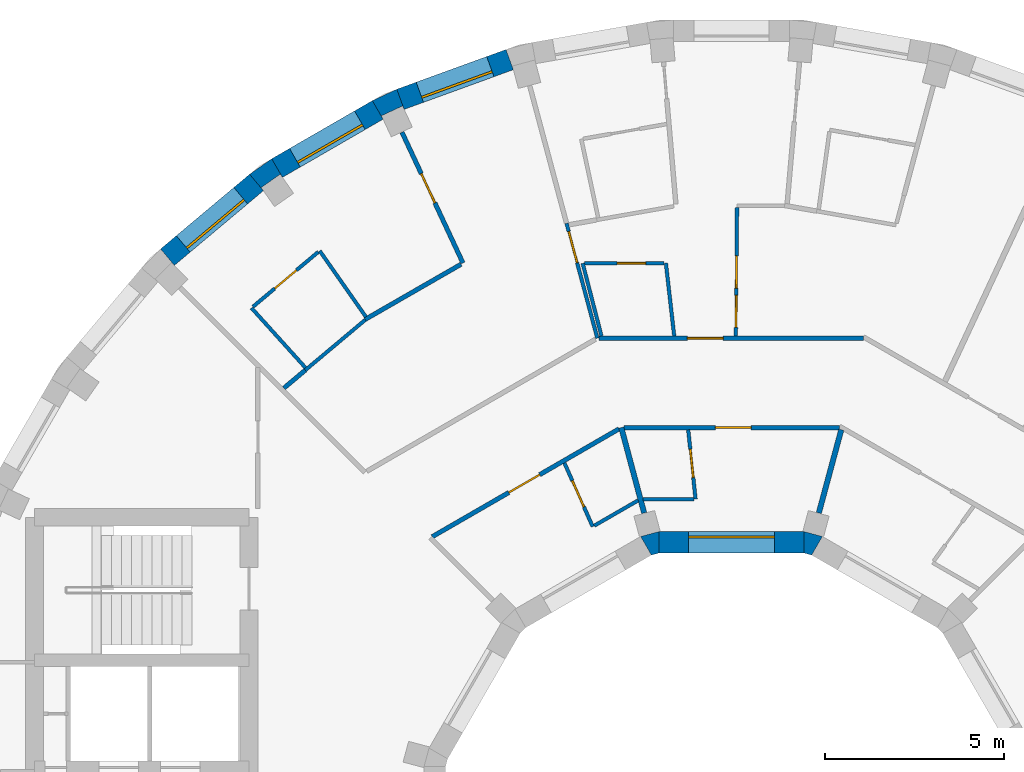
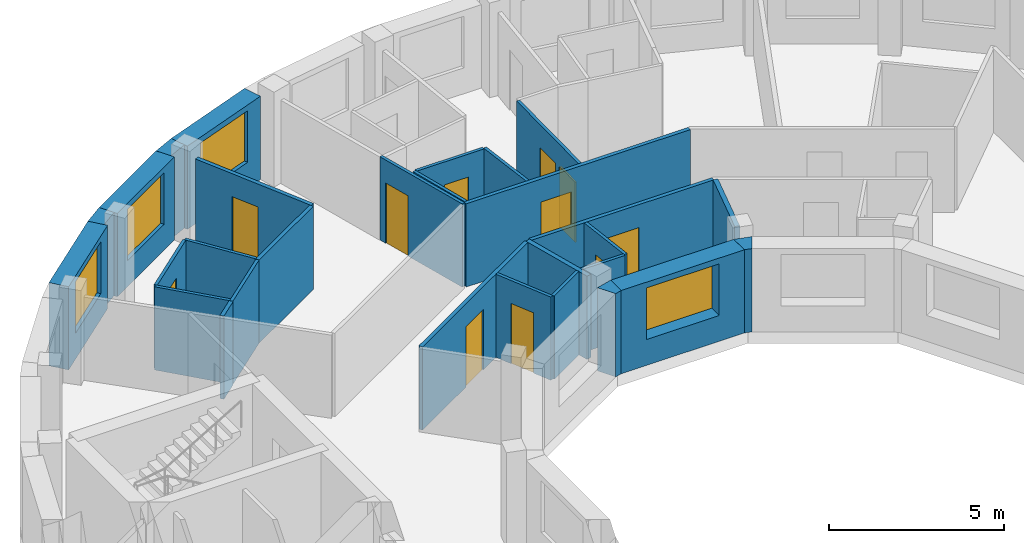
# One storey, part 9 of 12: 29 walls, 11 doors, 4 windows, 15 openings.
"""IFC4 building model written with IfcOpenShell, lengths in metres."""

from ifc_helpers import new_model, si_unit, direction, frame, frame_2d, origin, place, context, subcontext, project, spatial, polyline, rectangle, outline, extrude, material, layer, layer_set, type_object, element, fill, save


model = new_model("IFC4")

# Units and contexts
model_context = context("Model", 3, precision=1e-05, world=origin(), true_north=direction((0.0, 1.0)))
body_context = subcontext(model_context, "Body", "Model", "MODEL_VIEW")
ifc_project = project(units=[si_unit("LENGTHUNIT", "METRE"), si_unit("AREAUNIT", "SQUARE_METRE"), si_unit("VOLUMEUNIT", "CUBIC_METRE"), si_unit("PLANEANGLEUNIT", "RADIAN"), si_unit("MASSUNIT", "GRAM", prefix="KILO")], contexts=[model_context])

# Site, building, storey
site_placement = place(None, origin())
site = spatial("IfcSite", under=ifc_project, at=site_placement, CompositionType="ELEMENT")
building_placement = place(site_placement, origin())
building = spatial("IfcBuilding", under=site, at=building_placement, Name="Saqina Gate Tower", CompositionType="ELEMENT")
storey_placement = place(building_placement, frame((0.0, 0.0, 269.300048828125)))
storey = spatial("IfcBuildingStorey", under=building, at=storey_placement, Name="L77", CompositionType="ELEMENT", Elevation=269.300048828125)

# Walls
ifc_material_1 = material(Name="Brick masonry (buff)", Category="masonry")
wall_type_1 = type_object("IfcWallType", Name="BRICK PIER COPING BUFF", PredefinedType="SOLIDWALL", material=ifc_material_1)
wall_1_placement = place(storey_placement, origin())
element("IfcWall", 1, at=wall_1_placement, inside=storey, type_object=wall_type_1, Name="Pier cap L77 column 12", PredefinedType="SOLIDWALL", context=body_context, shape_type="SweptSolid", body=[
    extrude(outline(polyline([(-9.3642578125, 20.974609375), (-10.048095703125, 20.65576171875), (-9.748291015625, 20.135986328125), (-9.79296875, 20.23193359375), (-9.203857421875, 20.506591796875), (-9.1591796875, 20.410888671875), (-9.3642578125, 20.974609375)])), origin(), (0.0, 0.0, 1.0), 2.89990234375),
])
wall_2_placement = place(storey_placement, origin())
element("IfcWall", 2, at=wall_2_placement, inside=storey, type_object=wall_type_1, Name="Pier cap L77 column 13", PredefinedType="SOLIDWALL", context=body_context, shape_type="SweptSolid", body=[
    extrude(outline(polyline([(-12.8642578125, 19.02978515625), (-13.482421875, 18.59716796875), (-13.0966796875, 18.137451171875), (-13.157470703125, 18.22412109375), (-12.625, 18.596923828125), (-12.564208984375, 18.51025390625), (-12.8642578125, 19.02978515625)])), origin(), (0.0, 0.0, 1.0), 2.89990234375),
])

# Wall, opening, window
ifc_material_2 = material(Name="Brick masonry (buff)", Category="masonry")
ifc_layer_1 = layer(ifc_material_2, 0.60009765625)
ifc_layer_set_1 = layer_set([ifc_layer_1], Name="FW-BRICK-BUFF")
wall_type_2 = type_object("IfcWallType", Name="FW-BRICK-BUFF", PredefinedType="SOLIDWALL", material=ifc_layer_set_1)
wall_3_placement = place(storey_placement, frame((-6.2060546875, 21.804931640625, 0.0), z_axis=(0.0, 0.0, 1.0), x_axis=(-0.939679383794, -0.342056509473, 0.0)))
wall_3 = element("IfcWall", 3, at=wall_3_placement, inside=storey, type_object=wall_type_2, Name="Facade wall L77 facet 11", PredefinedType="SOLIDWALL", context=body_context, shape_type="SweptSolid", body=[
    extrude(rectangle(XDim=3.251708984375, YDim=0.60009765625, at=frame_2d((1.6259765625, 0.0))), origin(), (0.0, 0.0, 1.0), 2.89990234375),
])
opening_1_placement = place(wall_3_placement, frame((0.57568359375, 0.0, 0.89990234375)))
opening_1 = element("IfcOpeningElement", 4, at=opening_1_placement, cuts=wall_3, Name="Opening G23-W09", PredefinedType="OPENING", context=body_context, shape_type="SweptSolid", body=[
    extrude(rectangle(XDim=2.10009765625, YDim=1.800048828125, at=frame_2d((1.050048828125, 0.89990234375))), frame((0.0, 0.31201171875, 0.0), z_axis=(0.0, -1.0, 0.0), x_axis=(1.0, 0.0, 0.0)), (0.0, 0.0, 1.0), 0.6240234375),
])
ifc_material_3 = material(Name="Aluminium glazing", Category="aluminium")
window_type_1 = type_object("IfcWindowType", Name="WN-D", PartitioningType="SINGLE_PANEL", PredefinedType="WINDOW", material=ifc_material_3)
window_1_placement = place(opening_1_placement, origin())
window_1 = element("IfcWindow", 5, at=window_1_placement, inside=storey, type_object=window_type_1, Name="Window L77 facet 11", OverallHeight=1.800048828125, OverallWidth=2.10009765625, PartitioningType="SINGLE_PANEL", PredefinedType="WINDOW", context=body_context, shape_type="SweptSolid", body=[
    extrude(rectangle(XDim=2.10009765625, YDim=1.800048828125, at=frame_2d((1.050048828125, 0.89990234375))), frame((0.0, 0.179931640625, 0.0), z_axis=(0.0, -1.0, 0.0), x_axis=(1.0, 0.0, 0.0)), (0.0, 0.0, 1.0), 0.06005859375),
])
fill(opening_1, window_1)

wall_4_placement = place(storey_placement, frame((-9.898193359375, 20.39599609375, 0.0), z_axis=(0.0, 0.0, 1.0), x_axis=(-0.866016800201, -0.500014901547, 0.0)))
wall_4 = element("IfcWall", 6, at=wall_4_placement, inside=storey, type_object=wall_type_2, Name="Facade wall L77 facet 12", PredefinedType="SOLIDWALL", context=body_context, shape_type="SweptSolid", body=[
    extrude(rectangle(XDim=3.251953125, YDim=0.60009765625, at=frame_2d((1.6259765625, 0.0))), origin(), (0.0, 0.0, 1.0), 2.89990234375),
])
opening_2_placement = place(wall_4_placement, frame((0.57568359375, 0.0, 0.89990234375)))
opening_2 = element("IfcOpeningElement", 7, at=opening_2_placement, cuts=wall_4, Name="Opening G23-W10", PredefinedType="OPENING", context=body_context, shape_type="SweptSolid", body=[
    extrude(rectangle(XDim=2.10009765625, YDim=1.800048828125, at=frame_2d((1.050048828125, 0.89990234375))), frame((0.0, 0.31201171875, 0.0), z_axis=(0.0, -1.0, 0.0), x_axis=(1.0, 0.0, 0.0)), (0.0, 0.0, 1.0), 0.6240234375),
])
window_2_placement = place(opening_2_placement, origin())
window_2 = element("IfcWindow", 8, at=window_2_placement, inside=storey, type_object=window_type_1, Name="Window L77 facet 12", OverallHeight=1.800048828125, OverallWidth=2.10009765625, PartitioningType="SINGLE_PANEL", PredefinedType="WINDOW", context=body_context, shape_type="SweptSolid", body=[
    extrude(rectangle(XDim=2.10009765625, YDim=1.800048828125, at=frame_2d((1.050048828125, 0.89990234375))), frame((0.0, 0.179931640625, 0.0), z_axis=(0.0, -1.0, 0.0), x_axis=(1.0, 0.0, 0.0)), (0.0, 0.0, 1.0), 0.06005859375),
])
fill(opening_2, window_2)

wall_5_placement = place(storey_placement, frame((-13.28955078125, 18.3671875, 0.0), z_axis=(0.0, 0.0, 1.0), x_axis=(-0.766056773982, -0.64277291405, 0.0)))
wall_5 = element("IfcWall", 9, at=wall_5_placement, inside=storey, type_object=wall_type_2, Name="Facade wall L77 facet 13", PredefinedType="SOLIDWALL", context=body_context, shape_type="SweptSolid", body=[
    extrude(rectangle(XDim=3.251708984375, YDim=0.60009765625, at=frame_2d((1.6259765625, 0.0))), origin(), (0.0, 0.0, 1.0), 2.89990234375),
])
opening_3_placement = place(wall_5_placement, frame((0.57568359375, 0.0, 0.89990234375)))
opening_3 = element("IfcOpeningElement", 10, at=opening_3_placement, cuts=wall_5, Name="Opening G23-W11", PredefinedType="OPENING", context=body_context, shape_type="SweptSolid", body=[
    extrude(rectangle(XDim=2.10009765625, YDim=1.800048828125, at=frame_2d((1.050048828125, 0.89990234375))), frame((0.0, 0.31201171875, 0.0), z_axis=(0.0, -1.0, 0.0), x_axis=(1.0, 0.0, 0.0)), (0.0, 0.0, 1.0), 0.6240234375),
])
window_3_placement = place(opening_3_placement, origin())
window_3 = element("IfcWindow", 11, at=window_3_placement, inside=storey, type_object=window_type_1, Name="Window L77 facet 13", OverallHeight=1.800048828125, OverallWidth=2.10009765625, PartitioningType="SINGLE_PANEL", PredefinedType="WINDOW", context=body_context, shape_type="SweptSolid", body=[
    extrude(rectangle(XDim=2.10009765625, YDim=1.800048828125, at=frame_2d((1.050048828125, 0.89990234375))), frame((0.0, 0.179931640625, 0.0), z_axis=(0.0, -1.0, 0.0), x_axis=(1.0, 0.0, 0.0)), (0.0, 0.0, 1.0), 0.06005859375),
])
fill(opening_3, window_3)

ifc_material_4 = material(Name="Glazed ceramic tile", Category="ceramic")
ifc_layer_2 = layer(ifc_material_4, 0.60009765625)
ifc_layer_set_2 = layer_set([ifc_layer_2], Name="IW-TILE")
wall_type_3 = type_object("IfcWallType", Name="IW-TILE", PredefinedType="SOLIDWALL", material=ifc_layer_set_2)
wall_6_placement = place(storey_placement, frame((2.029296875, 8.300048828125, 0.0), z_axis=(0.0, 0.0, 1.0), x_axis=(-1.0, 0.0, 0.0)))
wall_6 = element("IfcWall", 12, at=wall_6_placement, inside=storey, type_object=wall_type_3, Name="Well wall L77 facet 3", PredefinedType="SOLIDWALL", context=body_context, shape_type="SweptSolid", body=[
    extrude(rectangle(XDim=4.05859375, YDim=0.60009765625, at=frame_2d((2.029296875, 0.0))), origin(), (0.0, 0.0, 1.0), 2.89990234375),
])
opening_4_placement = place(wall_6_placement, frame((0.829345703125, 0.0, 0.89990234375)))
opening_4 = element("IfcOpeningElement", 13, at=opening_4_placement, cuts=wall_6, Name="Opening G23-W25", PredefinedType="OPENING", context=body_context, shape_type="SweptSolid", body=[
    extrude(rectangle(XDim=2.39990234375, YDim=1.800048828125, at=frame_2d((1.199951171875, 0.89990234375))), frame((0.0, 0.31201171875, 0.0), z_axis=(0.0, -1.0, 0.0), x_axis=(1.0, 0.0, 0.0)), (0.0, 0.0, 1.0), 0.6240234375),
])
ifc_material_5 = material(Name="Aluminium glazing", Category="aluminium")
window_type_2 = type_object("IfcWindowType", Name="WN-W", PartitioningType="SINGLE_PANEL", PredefinedType="WINDOW", material=ifc_material_5)
window_4_placement = place(opening_4_placement, origin())
window_4 = element("IfcWindow", 14, at=window_4_placement, inside=storey, type_object=window_type_2, Name="Well window L77 facet 3", OverallHeight=1.800048828125, OverallWidth=2.39990234375, PartitioningType="SINGLE_PANEL", PredefinedType="WINDOW", context=body_context, shape_type="SweptSolid", body=[
    extrude(rectangle(XDim=2.39990234375, YDim=1.800048828125, at=frame_2d((1.199951171875, 0.89990234375))), frame((0.0, -0.119873046875, 0.0), z_axis=(0.0, -1.0, 0.0), x_axis=(1.0, 0.0, 0.0)), (0.0, 0.0, 1.0), 0.06005859375),
])
fill(opening_4, window_4)

# Wall, opening, door
ifc_material_6 = material(Name="Gypsum board on steel studs, 100 mm", Category="steel")
ifc_layer_3 = layer(ifc_material_6, 0.10009765625)
ifc_layer_set_3 = layer_set([ifc_layer_3], Name="PARTITION 100")
wall_type_4 = type_object("IfcWallType", Name="PARTITION 100", PredefinedType="PARTITIONING", material=ifc_layer_set_3)
wall_7_placement = place(storey_placement, frame((-1.21142578125, 11.44775390625, 0.0), z_axis=(0.0, 0.0, 1.0), x_axis=(0.105369568355, -0.994433132023, 0.0)))
wall_7 = element("IfcWall", 15, at=wall_7_placement, inside=storey, type_object=wall_type_4, Name="PARTITION PW3-01", PredefinedType="PARTITIONING", context=body_context, shape_type="SweptSolid", body=[
    extrude(rectangle(XDim=1.948486328125, YDim=0.10009765625, at=frame_2d((0.97412109375, 0.0))), origin(), (0.0, 0.0, 1.0), 2.89990234375),
])
opening_5_placement = place(wall_7_placement, frame((0.543212890625, 0.0, 0.0)))
opening_5 = element("IfcOpeningElement", 16, at=opening_5_placement, cuts=wall_7, Name="Opening G23-D12", PredefinedType="OPENING", context=body_context, shape_type="SweptSolid", body=[
    extrude(rectangle(XDim=0.800048828125, YDim=2.10009765625, at=frame_2d((0.39990234375, 1.050048828125))), frame((0.0, 0.06201171875, 0.0), z_axis=(0.0, -1.0, 0.0), x_axis=(1.0, 0.0, 0.0)), (0.0, 0.0, 1.0), 0.1240234375),
])
ifc_material_7 = material(Name="Timber door leaf, 800 mm", Category="wood")
door_type_1 = type_object("IfcDoorType", Name="DOOR 800 TIMBER", OperationType="SINGLE_SWING_LEFT", PredefinedType="DOOR", material=ifc_material_7)
door_1_placement = place(opening_5_placement, origin())
door_1 = element("IfcDoor", 17, at=door_1_placement, inside=storey, type_object=door_type_1, Name="DOOR G23-D12", OperationType="SINGLE_SWING_LEFT", OverallHeight=2.10009765625, OverallWidth=0.800048828125, PredefinedType="DOOR", context=body_context, shape_type="SweptSolid", body=[
    extrude(rectangle(XDim=0.800048828125, YDim=2.10009765625, at=frame_2d((0.39990234375, 1.050048828125))), frame((0.0, 0.02490234375, 0.0), z_axis=(0.0, -1.0, 0.0), x_axis=(1.0, 0.0, 0.0)), (0.0, 0.0, 1.0), 0.050048828125),
])
fill(opening_5, door_1)

# Walls
wall_8_placement = place(storey_placement, frame((-1.8359375, 16.110107421875, 0.0), z_axis=(0.0, 0.0, 1.0), x_axis=(0.113539878009, -0.993533439851, 0.0)))
element("IfcWall", 18, at=wall_8_placement, inside=storey, type_object=wall_type_4, Name="PARTITION PW3-02", PredefinedType="PARTITIONING", context=body_context, shape_type="SweptSolid", body=[
    extrude(rectangle(XDim=2.05126953125, YDim=0.10009765625, at=frame_2d((1.025634765625, 0.0))), origin(), (0.0, 0.0, 1.0), 2.89990234375),
])
wall_9_placement = place(storey_placement, frame((-4.1640625, 16.106201171875, 0.0), z_axis=(0.0, 0.0, 1.0), x_axis=(0.250341539679, -0.968157587127, 0.0)))
element("IfcWall", 19, at=wall_9_placement, inside=storey, type_object=wall_type_4, Name="PARTITION PW3-05", PredefinedType="PARTITIONING", context=body_context, shape_type="SweptSolid", body=[
    extrude(rectangle(XDim=2.1025390625, YDim=0.10009765625, at=frame_2d((1.05126953125, 0.0))), origin(), (0.0, 0.0, 1.0), 2.89990234375),
])

# Wall, opening, door
wall_10_placement = place(storey_placement, frame((-4.61474609375, 17.222412109375, 0.0), z_axis=(0.0, 0.0, 1.0), x_axis=(0.258841272413, -0.965919870225, 0.0)))
wall_10 = element("IfcWall", 20, at=wall_10_placement, inside=storey, type_object=wall_type_4, Name="PARTITION PW3-07", PredefinedType="PARTITIONING", context=body_context, shape_type="SweptSolid", body=[
    extrude(rectangle(XDim=3.32568359375, YDim=0.10009765625, at=frame_2d((1.662841796875, 0.0))), origin(), (0.0, 0.0, 1.0), 2.89990234375),
])
opening_6_placement = place(wall_10_placement, frame((0.2373046875, 0.0, 0.0)))
opening_6 = element("IfcOpeningElement", 21, at=opening_6_placement, cuts=wall_10, Name="Opening G23-D15", PredefinedType="OPENING", context=body_context, shape_type="SweptSolid", body=[
    extrude(rectangle(XDim=0.89990234375, YDim=2.10009765625, at=frame_2d((0.449951171875, 1.050048828125))), frame((0.0, 0.06201171875, 0.0), z_axis=(0.0, -1.0, 0.0), x_axis=(1.0, 0.0, 0.0)), (0.0, 0.0, 1.0), 0.1240234375),
])
ifc_material_8 = material(Name="Timber door leaf, 900 mm", Category="wood")
door_type_2 = type_object("IfcDoorType", Name="DOOR 900 TIMBER", OperationType="SINGLE_SWING_LEFT", PredefinedType="DOOR", material=ifc_material_8)
door_2_placement = place(opening_6_placement, frame((0.89990234375, 0.0, 0.0), z_axis=(0.0, 0.0, 1.0), x_axis=(-1.0, 0.0, 0.0)))
door_2 = element("IfcDoor", 22, at=door_2_placement, inside=storey, type_object=door_type_2, Name="DOOR G23-D15", OperationType="SINGLE_SWING_RIGHT", OverallHeight=2.10009765625, OverallWidth=0.89990234375, PredefinedType="DOOR", context=body_context, shape_type="SweptSolid", body=[
    extrude(rectangle(XDim=0.89990234375, YDim=2.10009765625, at=frame_2d((0.449951171875, 1.050048828125))), frame((0.0, 0.02490234375, 0.0), z_axis=(0.0, -1.0, 0.0), x_axis=(1.0, 0.0, 0.0)), (0.0, 0.0, 1.0), 0.050048828125),
])
fill(opening_6, door_2)

wall_11_placement = place(storey_placement, frame((-4.674560546875, 10.519775390625, 0.0), z_axis=(0.0, 0.0, 1.0), x_axis=(0.405743130594, -0.913987150881, 0.0)))
wall_11 = element("IfcWall", 23, at=wall_11_placement, inside=storey, type_object=wall_type_4, Name="PARTITION PW3-10", PredefinedType="PARTITIONING", context=body_context, shape_type="SweptSolid", body=[
    extrude(rectangle(XDim=1.9482421875, YDim=0.10009765625, at=frame_2d((0.97412109375, 0.0))), origin(), (0.0, 0.0, 1.0), 2.89990234375),
])
opening_7_placement = place(wall_11_placement, frame((0.54296875, 0.0, 0.0)))
opening_7 = element("IfcOpeningElement", 24, at=opening_7_placement, cuts=wall_11, Name="Opening G23-D16", PredefinedType="OPENING", context=body_context, shape_type="SweptSolid", body=[
    extrude(rectangle(XDim=0.800048828125, YDim=2.10009765625, at=frame_2d((0.39990234375, 1.050048828125))), frame((0.0, 0.06201171875, 0.0), z_axis=(0.0, -1.0, 0.0), x_axis=(1.0, 0.0, 0.0)), (0.0, 0.0, 1.0), 0.1240234375),
])
door_3_placement = place(opening_7_placement, frame((0.800048828125, 0.0, 0.0), z_axis=(0.0, 0.0, 1.0), x_axis=(-1.0, 0.0, 0.0)))
door_3 = element("IfcDoor", 25, at=door_3_placement, inside=storey, type_object=door_type_1, Name="DOOR G23-D16", OperationType="SINGLE_SWING_RIGHT", OverallHeight=2.10009765625, OverallWidth=0.800048828125, PredefinedType="DOOR", context=body_context, shape_type="SweptSolid", body=[
    extrude(rectangle(XDim=0.800048828125, YDim=2.10009765625, at=frame_2d((0.39990234375, 1.050048828125))), frame((0.0, 0.02490234375, 0.0), z_axis=(0.0, -1.0, 0.0), x_axis=(1.0, 0.0, 0.0)), (0.0, 0.0, 1.0), 0.050048828125),
])
fill(opening_7, door_3)

# Walls
wall_12_placement = place(storey_placement, frame((-11.521240234375, 16.454345703125, 0.0), z_axis=(0.0, 0.0, 1.0), x_axis=(0.573476881905, -0.819221744047, 0.0)))
element("IfcWall", 26, at=wall_12_placement, inside=storey, type_object=wall_type_4, Name="PARTITION PW3-13", PredefinedType="PARTITIONING", context=body_context, shape_type="SweptSolid", body=[
    extrude(rectangle(XDim=2.254150390625, YDim=0.10009765625, at=frame_2d((1.126953125, 0.0))), origin(), (0.0, 0.0, 1.0), 2.89990234375),
])
wall_13_placement = place(storey_placement, frame((-13.429443359375, 14.85546875, 0.0), z_axis=(0.0, 0.0, 1.0), x_axis=(0.670353689302, -0.742041731468, 0.0)))
element("IfcWall", 27, at=wall_13_placement, inside=storey, type_object=wall_type_4, Name="PARTITION PW3-15", PredefinedType="PARTITIONING", context=body_context, shape_type="SweptSolid", body=[
    extrude(rectangle(XDim=2.251220703125, YDim=0.10009765625, at=frame_2d((1.12548828125, 0.0))), origin(), (0.0, 0.0, 1.0), 2.89990234375),
])
wall_14_placement = place(storey_placement, frame((-2.472900390625, 9.510009765625, 0.0), z_axis=(0.0, 0.0, 1.0), x_axis=(1.0, 0.0, 0.0)))
element("IfcWall", 28, at=wall_14_placement, inside=storey, type_object=wall_type_4, Name="PARTITION PW3-26", PredefinedType="PARTITIONING", context=body_context, shape_type="SweptSolid", body=[
    extrude(rectangle(XDim=1.4169921875, YDim=0.10009765625, at=frame_2d((0.70849609375, 0.0))), origin(), (0.0, 0.0, 1.0), 2.89990234375),
])

# Wall, opening, door
wall_15_placement = place(storey_placement, frame((-4.112060546875, 16.110107421875, 0.0), z_axis=(0.0, 0.0, 1.0), x_axis=(1.0, 0.0, 0.0)))
wall_15 = element("IfcWall", 29, at=wall_15_placement, inside=storey, type_object=wall_type_4, Name="PARTITION PW3-27", PredefinedType="PARTITIONING", context=body_context, shape_type="SweptSolid", body=[
    extrude(rectangle(XDim=2.22412109375, YDim=0.10009765625, at=frame_2d((1.112060546875, 0.0))), origin(), (0.0, 0.0, 1.0), 2.89990234375),
])
opening_8_placement = place(wall_15_placement, frame((0.912109375, 0.0, 0.0)))
opening_8 = element("IfcOpeningElement", 30, at=opening_8_placement, cuts=wall_15, Name="Opening G23-D14", PredefinedType="OPENING", context=body_context, shape_type="SweptSolid", body=[
    extrude(rectangle(XDim=0.800048828125, YDim=2.10009765625, at=frame_2d((0.39990234375, 1.050048828125))), frame((0.0, 0.06201171875, 0.0), z_axis=(0.0, -1.0, 0.0), x_axis=(1.0, 0.0, 0.0)), (0.0, 0.0, 1.0), 0.1240234375),
])
door_4_placement = place(opening_8_placement, origin())
door_4 = element("IfcDoor", 31, at=door_4_placement, inside=storey, type_object=door_type_1, Name="DOOR G23-D14", OperationType="SINGLE_SWING_RIGHT", OverallHeight=2.10009765625, OverallWidth=0.800048828125, PredefinedType="DOOR", context=body_context, shape_type="SweptSolid", body=[
    extrude(rectangle(XDim=0.800048828125, YDim=2.10009765625, at=frame_2d((0.39990234375, 1.050048828125))), frame((0.0, 0.02490234375, 0.0), z_axis=(0.0, -1.0, 0.0), x_axis=(1.0, 0.0, 0.0)), (0.0, 0.0, 1.0), 0.050048828125),
])
fill(opening_8, door_4)

# Walls
wall_16_placement = place(storey_placement, frame((-3.840576171875, 8.763916015625, 0.0), z_axis=(0.0, 0.0, 1.0), x_axis=(0.866093804534, 0.499881507708, 0.0)))
element("IfcWall", 32, at=wall_16_placement, inside=storey, type_object=wall_type_4, Name="PARTITION PW3-36", PredefinedType="PARTITIONING", context=body_context, shape_type="SweptSolid", body=[
    extrude(rectangle(XDim=1.417236328125, YDim=0.10009765625, at=frame_2d((0.70849609375, 0.0))), origin(), (0.0, 0.0, 1.0), 2.89990234375),
])
wall_17_placement = place(storey_placement, frame((-11.92626953125, 13.11474609375, 0.0), z_axis=(0.0, 0.0, 1.0), x_axis=(0.766119067307, 0.642698665557, 0.0)))
element("IfcWall", 33, at=wall_17_placement, inside=storey, type_object=wall_type_4, Name="PARTITION PW3-39", PredefinedType="PARTITIONING", context=body_context, shape_type="SweptSolid", body=[
    extrude(rectangle(XDim=2.19384765625, YDim=0.10009765625, at=frame_2d((1.096923828125, 0.0))), origin(), (0.0, 0.0, 1.0), 2.89990234375),
])

# Wall, opening, door
wall_18_placement = place(storey_placement, frame((-13.3896484375, 14.888916015625, 0.0), z_axis=(0.0, 0.0, 1.0), x_axis=(0.765894211942, 0.642966605753, 0.0)))
wall_18 = element("IfcWall", 34, at=wall_18_placement, inside=storey, type_object=wall_type_4, Name="PARTITION PW3-40", PredefinedType="PARTITIONING", context=body_context, shape_type="SweptSolid", body=[
    extrude(rectangle(XDim=2.38720703125, YDim=0.10009765625, at=frame_2d((1.193603515625, 0.0))), origin(), (0.0, 0.0, 1.0), 2.89990234375),
])
opening_9_placement = place(wall_18_placement, frame((0.793212890625, 0.0, 0.0)))
opening_9 = element("IfcOpeningElement", 35, at=opening_9_placement, cuts=wall_18, Name="Opening G23-D19", PredefinedType="OPENING", context=body_context, shape_type="SweptSolid", body=[
    extrude(rectangle(XDim=0.800048828125, YDim=2.10009765625, at=frame_2d((0.39990234375, 1.050048828125))), frame((0.0, 0.06201171875, 0.0), z_axis=(0.0, -1.0, 0.0), x_axis=(1.0, 0.0, 0.0)), (0.0, 0.0, 1.0), 0.1240234375),
])
door_5_placement = place(opening_9_placement, origin())
door_5 = element("IfcDoor", 36, at=door_5_placement, inside=storey, type_object=door_type_1, Name="DOOR G23-D19", OperationType="SINGLE_SWING_LEFT", OverallHeight=2.10009765625, OverallWidth=0.800048828125, PredefinedType="DOOR", context=body_context, shape_type="SweptSolid", body=[
    extrude(rectangle(XDim=0.800048828125, YDim=2.10009765625, at=frame_2d((0.39990234375, 1.050048828125))), frame((0.0, 0.02490234375, 0.0), z_axis=(0.0, -1.0, 0.0), x_axis=(1.0, 0.0, 0.0)), (0.0, 0.0, 1.0), 0.050048828125),
])
fill(opening_9, door_5)

# Wall, openings, doors
wall_19_placement = place(storey_placement, frame((0.12255859375, 14.072509765625, 0.0), z_axis=(0.0, 0.0, 1.0), x_axis=(0.008912423265, 0.999960283567, 0.0)))
wall_19 = element("IfcWall", 37, at=wall_19_placement, inside=storey, type_object=wall_type_4, Name="PARTITION PW3-52", PredefinedType="PARTITIONING", context=body_context, shape_type="SweptSolid", body=[
    extrude(rectangle(XDim=3.588623046875, YDim=0.10009765625, at=frame_2d((1.79443359375, 0.0))), origin(), (0.0, 0.0, 1.0), 2.89990234375),
])
opening_10_placement = place(wall_19_placement, frame((0.237548828125, 0.0, 0.0)))
opening_10 = element("IfcOpeningElement", 38, at=opening_10_placement, cuts=wall_19, Name="Opening G23-D07", PredefinedType="OPENING", context=body_context, shape_type="SweptSolid", body=[
    extrude(rectangle(XDim=0.89990234375, YDim=2.10009765625, at=frame_2d((0.449951171875, 1.050048828125))), frame((0.0, 0.06201171875, 0.0), z_axis=(0.0, -1.0, 0.0), x_axis=(1.0, 0.0, 0.0)), (0.0, 0.0, 1.0), 0.1240234375),
])
opening_11_placement = place(wall_19_placement, frame((1.337646484375, 0.0, 0.0)))
opening_11 = element("IfcOpeningElement", 39, at=opening_11_placement, cuts=wall_19, Name="Opening G23-D08", PredefinedType="OPENING", context=body_context, shape_type="SweptSolid", body=[
    extrude(rectangle(XDim=0.89990234375, YDim=2.10009765625, at=frame_2d((0.449951171875, 1.050048828125))), frame((0.0, 0.06201171875, 0.0), z_axis=(0.0, -1.0, 0.0), x_axis=(1.0, 0.0, 0.0)), (0.0, 0.0, 1.0), 0.1240234375),
])
door_6_placement = place(opening_10_placement, frame((0.89990234375, 0.0, 0.0), z_axis=(0.0, 0.0, 1.0), x_axis=(-1.0, 0.0, 0.0)))
door_6 = element("IfcDoor", 40, at=door_6_placement, inside=storey, type_object=door_type_2, Name="DOOR G23-D07", OperationType="SINGLE_SWING_RIGHT", OverallHeight=2.10009765625, OverallWidth=0.89990234375, PredefinedType="DOOR", context=body_context, shape_type="SweptSolid", body=[
    extrude(rectangle(XDim=0.89990234375, YDim=2.10009765625, at=frame_2d((0.449951171875, 1.050048828125))), frame((0.0, 0.02490234375, 0.0), z_axis=(0.0, -1.0, 0.0), x_axis=(1.0, 0.0, 0.0)), (0.0, 0.0, 1.0), 0.050048828125),
])
fill(opening_10, door_6)
door_7_placement = place(opening_11_placement, frame((0.89990234375, 0.0, 0.0), z_axis=(0.0, 0.0, 1.0), x_axis=(-1.0, 0.0, 0.0)))
door_7 = element("IfcDoor", 41, at=door_7_placement, inside=storey, type_object=door_type_2, Name="DOOR G23-D08", OperationType="SINGLE_SWING_RIGHT", OverallHeight=2.10009765625, OverallWidth=0.89990234375, PredefinedType="DOOR", context=body_context, shape_type="SweptSolid", body=[
    extrude(rectangle(XDim=0.89990234375, YDim=2.10009765625, at=frame_2d((0.449951171875, 1.050048828125))), frame((0.0, 0.02490234375, 0.0), z_axis=(0.0, -1.0, 0.0), x_axis=(1.0, 0.0, 0.0)), (0.0, 0.0, 1.0), 0.050048828125),
])
fill(opening_11, door_7)

# Wall, opening, door
ifc_material_9 = material(Name="Gypsum board on steel studs, 125 mm, fire rated", Category="steel")
ifc_layer_4 = layer(ifc_material_9, 0.125)
ifc_layer_set_4 = layer_set([ifc_layer_4], Name="PARTITION EI 30 125")
wall_type_5 = type_object("IfcWallType", Name="PARTITION EI 30 125", PredefinedType="PARTITIONING", material=ifc_layer_set_4)
wall_20_placement = place(storey_placement, frame((-9.219482421875, 19.77099609375, 0.0), z_axis=(0.0, 0.0, 1.0), x_axis=(0.422689943865, -0.906274357662, 0.0)))
wall_20 = element("IfcWall", 42, at=wall_20_placement, inside=storey, type_object=wall_type_5, Name="PARTITION PW1-06", PredefinedType="PARTITIONING", context=body_context, shape_type="SweptSolid", body=[
    extrude(rectangle(XDim=4.033203125, YDim=0.125, at=frame_2d((2.0166015625, 0.0))), origin(), (0.0, 0.0, 1.0), 2.89990234375),
])
opening_12_placement = place(wall_20_placement, frame((1.2763671875, 0.0, 0.0)))
opening_12 = element("IfcOpeningElement", 43, at=opening_12_placement, cuts=wall_20, Name="Opening G23-D17", PredefinedType="OPENING", context=body_context, shape_type="SweptSolid", body=[
    extrude(rectangle(XDim=0.89990234375, YDim=2.10009765625, at=frame_2d((0.449951171875, 1.050048828125))), frame((0.0, 0.074462890625, 0.0), z_axis=(0.0, -1.0, 0.0), x_axis=(1.0, 0.0, 0.0)), (0.0, 0.0, 1.0), 0.14892578125),
])
ifc_material_10 = material(Name="Fire door leaf EI 30, 900 mm")
door_type_3 = type_object("IfcDoorType", Name="DOOR 900 EI 30", OperationType="SINGLE_SWING_LEFT", PredefinedType="DOOR", material=ifc_material_10)
door_8_placement = place(opening_12_placement, origin())
door_8 = element("IfcDoor", 44, at=door_8_placement, inside=storey, type_object=door_type_3, Name="DOOR G23-D17", OperationType="SINGLE_SWING_LEFT", OverallHeight=2.10009765625, OverallWidth=0.89990234375, PredefinedType="DOOR", context=body_context, shape_type="SweptSolid", body=[
    extrude(rectangle(XDim=0.89990234375, YDim=2.10009765625, at=frame_2d((0.449951171875, 1.050048828125))), frame((0.0, 0.02490234375, 0.0), z_axis=(0.0, -1.0, 0.0), x_axis=(1.0, 0.0, 0.0)), (0.0, 0.0, 1.0), 0.050048828125),
])
fill(opening_12, door_8)

wall_21_placement = place(storey_placement, frame((-3.009033203125, 11.510009765625, 0.0), z_axis=(0.0, 0.0, 1.0), x_axis=(1.0, 0.0, 0.0)))
wall_21 = element("IfcWall", 45, at=wall_21_placement, inside=storey, type_object=wall_type_5, Name="PARTITION PW1-20", PredefinedType="PARTITIONING", context=body_context, shape_type="SweptSolid", body=[
    extrude(rectangle(XDim=6.030517578125, YDim=0.125, at=frame_2d((3.01513671875, 0.0))), origin(), (0.0, 0.0, 1.0), 2.89990234375),
])
opening_13_placement = place(wall_21_placement, frame((2.5595703125, 0.0, 0.0)))
opening_13 = element("IfcOpeningElement", 46, at=opening_13_placement, cuts=wall_21, Name="Opening G23-D09", PredefinedType="OPENING", context=body_context, shape_type="SweptSolid", body=[
    extrude(rectangle(XDim=1.0, YDim=2.10009765625, at=frame_2d((0.5, 1.050048828125))), frame((0.0, 0.074462890625, 0.0), z_axis=(0.0, -1.0, 0.0), x_axis=(1.0, 0.0, 0.0)), (0.0, 0.0, 1.0), 0.14892578125),
])
ifc_material_11 = material(Name="Fire door leaf EI 30, 1000 mm")
door_type_4 = type_object("IfcDoorType", Name="DOOR 1000 EI 30", OperationType="SINGLE_SWING_LEFT", PredefinedType="DOOR", material=ifc_material_11)
door_9_placement = place(opening_13_placement, frame((1.0, 0.0, 0.0), z_axis=(0.0, 0.0, 1.0), x_axis=(-1.0, 0.0, 0.0)))
door_9 = element("IfcDoor", 47, at=door_9_placement, inside=storey, type_object=door_type_4, Name="DOOR G23-D09", OperationType="SINGLE_SWING_LEFT", OverallHeight=2.10009765625, OverallWidth=1.0, PredefinedType="DOOR", context=body_context, shape_type="SweptSolid", body=[
    extrude(rectangle(XDim=1.0, YDim=2.10009765625, at=frame_2d((0.5, 1.050048828125))), frame((0.0, 0.02490234375, 0.0), z_axis=(0.0, -1.0, 0.0), x_axis=(1.0, 0.0, 0.0)), (0.0, 0.0, 1.0), 0.050048828125),
])
fill(opening_13, door_9)

wall_22_placement = place(storey_placement, frame((-3.702880859375, 14.010009765625, 0.0), z_axis=(0.0, 0.0, 1.0), x_axis=(1.0, 0.0, 0.0)))
wall_22 = element("IfcWall", 48, at=wall_22_placement, inside=storey, type_object=wall_type_5, Name="PARTITION PW1-21", PredefinedType="PARTITIONING", context=body_context, shape_type="SweptSolid", body=[
    extrude(rectangle(XDim=7.393310546875, YDim=0.125, at=frame_2d((3.69677734375, 0.0))), origin(), (0.0, 0.0, 1.0), 2.89990234375),
])
opening_14_placement = place(wall_22_placement, frame((2.466064453125, 0.0, 0.0)))
opening_14 = element("IfcOpeningElement", 49, at=opening_14_placement, cuts=wall_22, Name="Opening G23-D10", PredefinedType="OPENING", context=body_context, shape_type="SweptSolid", body=[
    extrude(rectangle(XDim=1.0, YDim=2.10009765625, at=frame_2d((0.5, 1.050048828125))), frame((0.0, 0.074462890625, 0.0), z_axis=(0.0, -1.0, 0.0), x_axis=(1.0, 0.0, 0.0)), (0.0, 0.0, 1.0), 0.14892578125),
])
door_10_placement = place(opening_14_placement, origin())
door_10 = element("IfcDoor", 50, at=door_10_placement, inside=storey, type_object=door_type_4, Name="DOOR G23-D10", OperationType="SINGLE_SWING_LEFT", OverallHeight=2.10009765625, OverallWidth=1.0, PredefinedType="DOOR", context=body_context, shape_type="SweptSolid", body=[
    extrude(rectangle(XDim=1.0, YDim=2.10009765625, at=frame_2d((0.5, 1.050048828125))), frame((0.0, 0.02490234375, 0.0), z_axis=(0.0, -1.0, 0.0), x_axis=(1.0, 0.0, 0.0)), (0.0, 0.0, 1.0), 0.050048828125),
])
fill(opening_14, door_10)

# Wall
wall_23_placement = place(storey_placement, frame((-10.2529296875, 14.533447265625, 0.0), z_axis=(0.0, 0.0, 1.0), x_axis=(0.86679387043, 0.498666608252, 0.0)))
element("IfcWall", 51, at=wall_23_placement, inside=storey, type_object=wall_type_5, Name="PARTITION PW1-25", PredefinedType="PARTITIONING", context=body_context, shape_type="SweptSolid", body=[
    extrude(rectangle(XDim=3.09716796875, YDim=0.125, at=frame_2d((1.548583984375, 0.0))), origin(), (0.0, 0.0, 1.0), 2.89990234375),
])

# Wall, opening, door
wall_24_placement = place(storey_placement, frame((-8.371826171875, 8.457275390625, 0.0), z_axis=(0.0, 0.0, 1.0), x_axis=(0.866047390407, 0.499961916119, 0.0)))
wall_24 = element("IfcWall", 52, at=wall_24_placement, inside=storey, type_object=wall_type_5, Name="PARTITION PW1-28", PredefinedType="PARTITIONING", context=body_context, shape_type="SweptSolid", body=[
    extrude(rectangle(XDim=6.03076171875, YDim=0.125, at=frame_2d((3.015380859375, 0.0))), origin(), (0.0, 0.0, 1.0), 2.89990234375),
])
opening_15_placement = place(wall_24_placement, frame((2.47119140625, 0.0, 0.0)))
opening_15 = element("IfcOpeningElement", 53, at=opening_15_placement, cuts=wall_24, Name="Opening G23-D18", PredefinedType="OPENING", context=body_context, shape_type="SweptSolid", body=[
    extrude(rectangle(XDim=1.0, YDim=2.10009765625, at=frame_2d((0.5, 1.050048828125))), frame((0.0, 0.074462890625, 0.0), z_axis=(0.0, -1.0, 0.0), x_axis=(1.0, 0.0, 0.0)), (0.0, 0.0, 1.0), 0.14892578125),
])
door_11_placement = place(opening_15_placement, frame((1.0, 0.0, 0.0), z_axis=(0.0, 0.0, 1.0), x_axis=(-1.0, 0.0, 0.0)))
door_11 = element("IfcDoor", 54, at=door_11_placement, inside=storey, type_object=door_type_4, Name="DOOR G23-D18", OperationType="SINGLE_SWING_RIGHT", OverallHeight=2.10009765625, OverallWidth=1.0, PredefinedType="DOOR", context=body_context, shape_type="SweptSolid", body=[
    extrude(rectangle(XDim=1.0, YDim=2.10009765625, at=frame_2d((0.5, 1.050048828125))), frame((0.0, 0.02490234375, 0.0), z_axis=(0.0, -1.0, 0.0), x_axis=(1.0, 0.0, 0.0)), (0.0, 0.0, 1.0), 0.050048828125),
])
fill(opening_15, door_11)

# Walls
wall_25_placement = place(storey_placement, frame((-12.522216796875, 12.614013671875, 0.0), z_axis=(0.0, 0.0, 1.0), x_axis=(0.765618354165, 0.643295061201, 0.0)))
element("IfcWall", 55, at=wall_25_placement, inside=storey, type_object=wall_type_5, Name="PARTITION PW1-31", PredefinedType="PARTITIONING", context=body_context, shape_type="SweptSolid", body=[
    extrude(rectangle(XDim=0.7783203125, YDim=0.125, at=frame_2d((0.38916015625, 0.0))), origin(), (0.0, 0.0, 1.0), 2.89990234375),
])
ifc_material_12 = material(Name="Gypsum board on steel studs, 150 mm, fire rated", Category="steel")
ifc_layer_5 = layer(ifc_material_12, 0.14990234375)
ifc_layer_set_5 = layer_set([ifc_layer_5], Name="PARTITION EI 60 150")
wall_type_6 = type_object("IfcWallType", Name="PARTITION EI 60 150", PredefinedType="PARTITIONING", material=ifc_layer_set_5)
wall_26_placement = place(storey_placement, frame((-3.083984375, 11.510009765625, 0.0), z_axis=(0.0, 0.0, 1.0), x_axis=(0.258872567774, -0.965911483343, 0.0)))
element("IfcWall", 56, at=wall_26_placement, inside=storey, type_object=wall_type_6, Name="PARTITION PW2-01", PredefinedType="PARTITIONING", context=body_context, shape_type="SweptSolid", body=[
    extrude(rectangle(XDim=2.4736328125, YDim=0.14990234375, at=frame_2d((1.23681640625, 0.0))), origin(), (0.0, 0.0, 1.0), 2.89990234375),
])
wall_27_placement = place(storey_placement, frame((2.443115234375, 9.12060546875, 0.0), z_axis=(0.0, 0.0, 1.0), x_axis=(0.26040916135, 0.965498352502, 0.0)))
element("IfcWall", 57, at=wall_27_placement, inside=storey, type_object=wall_type_6, Name="PARTITION PW2-04", PredefinedType="PARTITIONING", context=body_context, shape_type="SweptSolid", body=[
    extrude(rectangle(XDim=2.411376953125, YDim=0.14990234375, at=frame_2d((1.20556640625, 0.0))), origin(), (0.0, 0.0, 1.0), 2.89990234375),
])
ifc_material_13 = material(Name="Glazed ceramic tile", Category="ceramic")
wall_type_7 = type_object("IfcWallType", Name="TILE PIER COPING", PredefinedType="SOLIDWALL", material=ifc_material_13)
wall_28_placement = place(storey_placement, origin())
element("IfcWall", 58, at=wall_28_placement, inside=storey, type_object=wall_type_7, Name="Well pier cap L77 column 3", PredefinedType="SOLIDWALL", context=body_context, shape_type="SweptSolid", body=[
    extrude(outline(polyline([(2.029296875, 8.60009765625), (2.029296875, 8.0), (2.242431640625, 7.94287109375), (2.54248046875, 8.46240234375), (2.029296875, 8.60009765625)])), origin(), (0.0, 0.0, 1.0), 2.89990234375),
])
wall_29_placement = place(storey_placement, origin())
element("IfcWall", 59, at=wall_29_placement, inside=storey, type_object=wall_type_7, Name="Well pier cap L77 column 4", PredefinedType="SOLIDWALL", context=body_context, shape_type="SweptSolid", body=[
    extrude(outline(polyline([(-2.54248046875, 8.46240234375), (-2.242431640625, 7.94287109375), (-2.029296875, 8.0), (-2.029296875, 8.60009765625), (-2.54248046875, 8.46240234375)])), origin(), (0.0, 0.0, 1.0), 2.89990234375),
])

save(model, "model.ifc")
